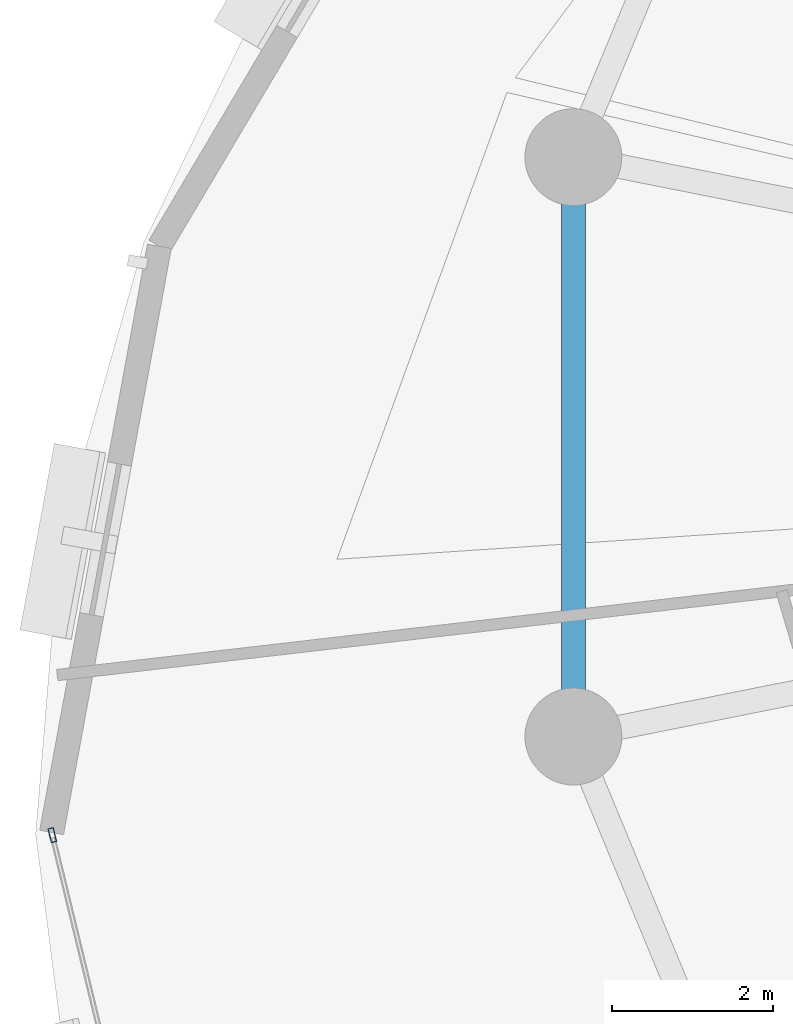
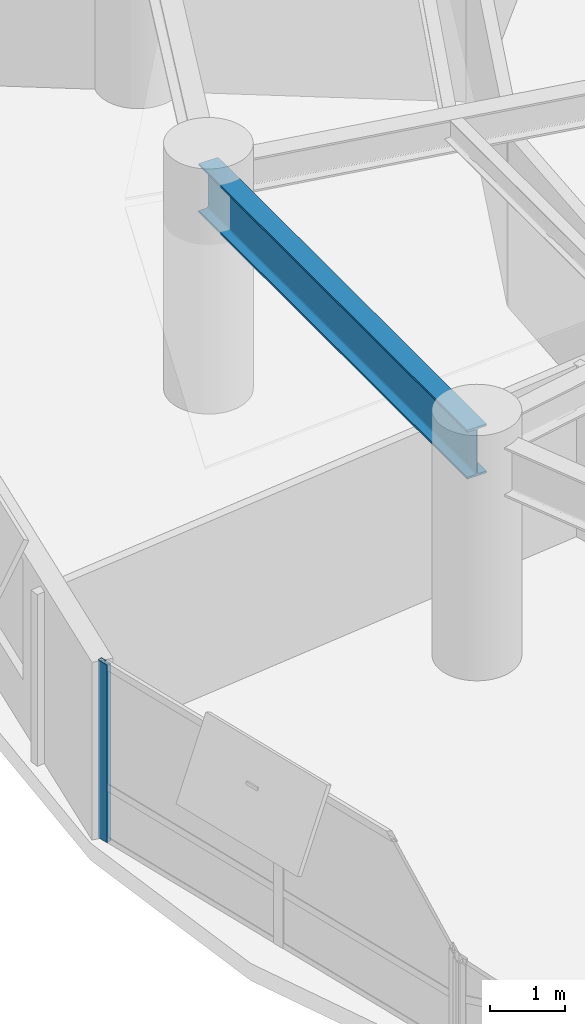
# One storey, part 4 of 14: 1 beam, 1 member, 1 element without a shape of its own.
"""IFC4 building model written with IfcOpenShell, lengths in metres."""

from ifc_helpers import new_model, si_unit, direction, frame, origin, origin_2d, place, context, subcontext, project, spatial, hollow_rectangle, i_section, extrude, material, layer, layer_set, material_profile, profile_set, type_object, element, aggregate, save


model = new_model("IFC4")

# Units and contexts
model_context = context("Model", 3, precision=1e-05, world=origin(), true_north=direction((0.0, 1.0)))
body_context = subcontext(model_context, "Body", "Model", "MODEL_VIEW")
ifc_project = project(units=[si_unit("LENGTHUNIT", "METRE"), si_unit("AREAUNIT", "SQUARE_METRE"), si_unit("VOLUMEUNIT", "CUBIC_METRE"), si_unit("PLANEANGLEUNIT", "RADIAN"), si_unit("MASSUNIT", "GRAM", prefix="KILO"), si_unit("THERMODYNAMICTEMPERATUREUNIT", "KELVIN"), si_unit("POWERUNIT", "WATT")], contexts=[model_context])

# Site, building, storey
site_placement = place(None, origin())
site = spatial("IfcSite", under=ifc_project, at=site_placement, CompositionType="ELEMENT")
building_placement = place(site_placement, origin())
building = spatial("IfcBuilding", under=site, at=building_placement, Name="Ocrelia Relay Tower", CompositionType="ELEMENT")
storey_placement = place(building_placement, frame((0.0, 0.0, 145.800048828125)))
storey = spatial("IfcBuildingStorey", under=building, at=storey_placement, Name="L34", CompositionType="ELEMENT", Elevation=145.800048828125)

# Beam
ifc_material_1 = material(Name="Steel S355", Category="steel")
ifc_material_profile_1 = material_profile(ifc_material_1, i_section(OverallWidth=0.300048828125, OverallDepth=0.800048828125, WebThickness=0.017578125, FlangeThickness=0.032958984375, FilletRadius=0.030029296875, at=origin_2d()), Name="HEB 800")
ifc_profile_set_1 = profile_set([ifc_material_profile_1], Name="Steel S355")
beam_type = type_object("IfcBeamType", Name="BM-HEB800", PredefinedType="BEAM", material=ifc_profile_set_1)
beam_placement = place(storey_placement, frame((15.95361328125, 29.589599609375, 3.320068359375), z_axis=(0.0, -1.0, 0.0), x_axis=(1.0, 0.0, 0.0)))
element("IfcBeam", 1, at=beam_placement, inside=storey, type_object=beam_type, Name="L34 Perimeter Spandrel Beam S08", PredefinedType="BEAM", context=body_context, shape_type="SweptSolid", body=[
    extrude(i_section(OverallWidth=0.300048828125, OverallDepth=0.800048828125, WebThickness=0.017578125, FlangeThickness=0.032958984375, FilletRadius=0.030029296875, at=origin_2d()), origin(), (0.0, 0.0, 1.0), 7.17919921875),
])

# Curtain wall, member
ifc_material_2 = material(Name="Aluminium and solar-control low-E glass", Category="aluminium")
ifc_layer = layer(ifc_material_2, 0.179931640625, Name="Aluminium and solar-control low-E glass")
ifc_layer_set = layer_set([ifc_layer], Name="Aluminium and solar-control low-E glass")
curtain_wall_type = type_object("IfcCurtainWallType", Name="CW-SYS-Z2-SWIT", PredefinedType="NOTDEFINED", material=ifc_layer_set)
curtain_wall_placement = place(storey_placement, origin())
curtain_wall = element("IfcCurtainWall", 2, at=curtain_wall_placement, inside=storey, type_object=curtain_wall_type, Name="L34 Elliptical Tower Curtain Wall Bay 09", PredefinedType="NOTDEFINED")
ifc_material_3 = material(Name="Anodised bronze aluminium", Category="aluminium")
ifc_material_profile_2 = material_profile(ifc_material_3, hollow_rectangle(XDim=0.070068359375, YDim=0.179931640625, WallThickness=0.006103515625, at=origin_2d()), Name="CW-MUL-180x70")
ifc_profile_set_2 = profile_set([ifc_material_profile_2], Name="Anodised bronze aluminium")
member_type = type_object("IfcMemberType", Name="CW-SYS-Z2-SWIT-MUL", PredefinedType="MULLION", material=ifc_profile_set_2)
member_placement = place(storey_placement, frame((9.496826171875, 21.188720703125, 0.0), z_axis=(0.0, 0.0, 1.0), x_axis=(0.97183275464, 0.235671587189, 0.0)))
member = element("IfcMember", 3, at=member_placement, type_object=member_type, Name="CW-Z2 mullion 1", PredefinedType="MULLION", context=body_context, shape_type="SweptSolid", body=[
    extrude(hollow_rectangle(XDim=0.070068359375, YDim=0.179931640625, WallThickness=0.006103515625, at=origin_2d()), origin(), (0.0, 0.0, 1.0), 2.89990234375),
])
aggregate(curtain_wall, [member])

save(model, "model.ifc")
